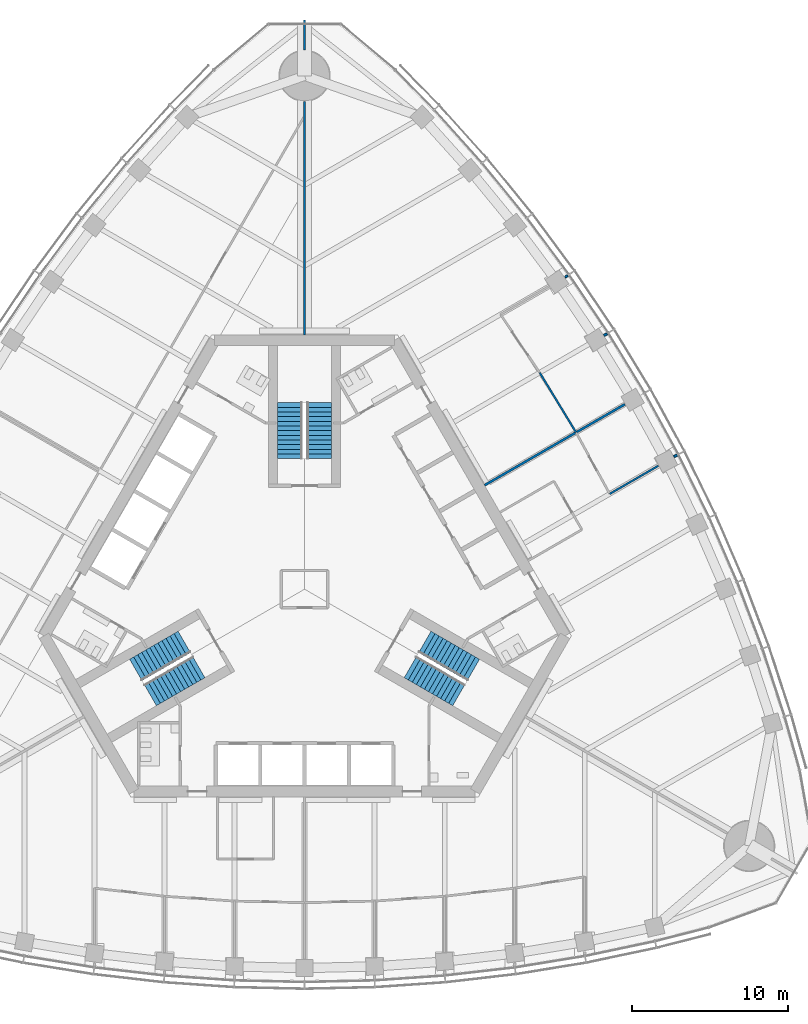
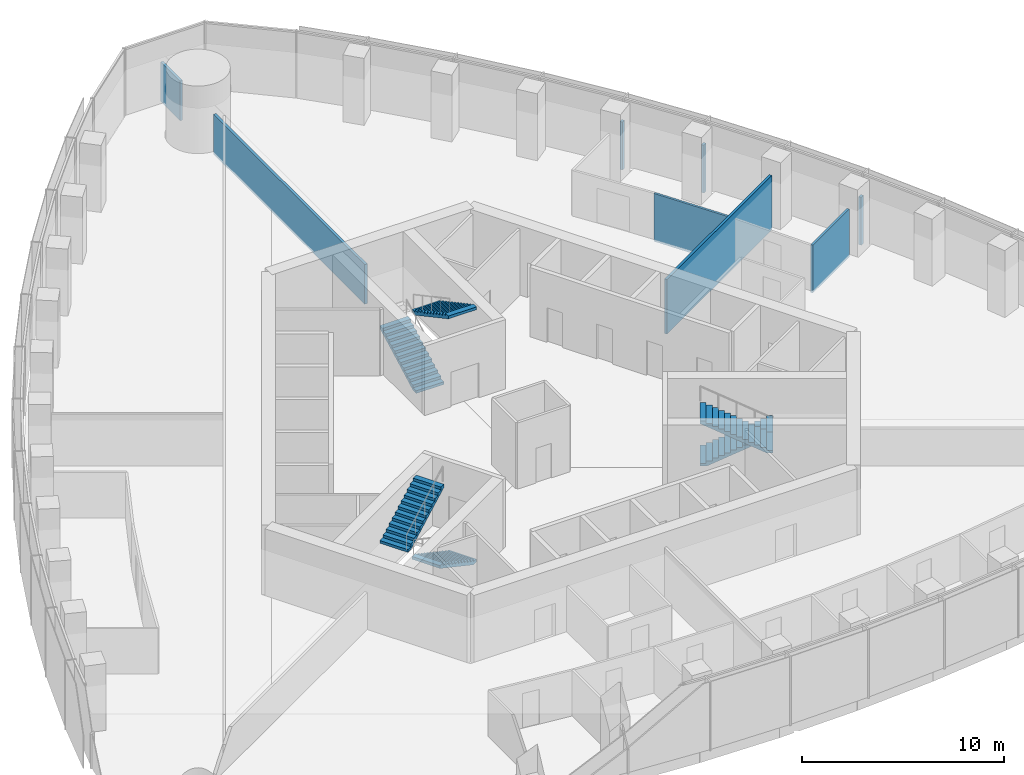
# One storey, part 14 of 19: 8 walls, 6 stair flights, 3 elements without a shape of their own.
"""IFC4 building model written with IfcOpenShell, lengths in metres."""

from ifc_helpers import new_model, si_unit, direction, frame, frame_2d, origin, place, context, subcontext, project, spatial, polyline, rectangle, outline, extrude, material, layer, layer_set, type_object, element, aggregate, save


model = new_model("IFC4")

# Units and contexts
model_context = context("Model", 3, precision=1e-05, world=origin(), true_north=direction((0.0, 1.0)))
body_context = subcontext(model_context, "Body", "Model", "MODEL_VIEW")
ifc_project = project(units=[si_unit("LENGTHUNIT", "METRE"), si_unit("AREAUNIT", "SQUARE_METRE"), si_unit("VOLUMEUNIT", "CUBIC_METRE"), si_unit("PLANEANGLEUNIT", "RADIAN"), si_unit("MASSUNIT", "GRAM", prefix="KILO")], contexts=[model_context])

# Site, building, storey
site_placement = place(None, origin())
site = spatial("IfcSite", under=ifc_project, at=site_placement, CompositionType="ELEMENT")
building_placement = place(site_placement, origin())
building = spatial("IfcBuilding", under=site, at=building_placement, Name="Trefoil Bronze Tower", CompositionType="ELEMENT")
storey_placement = place(building_placement, frame((0.0, 0.0, 223.300048828125)))
storey = spatial("IfcBuildingStorey", under=building, at=storey_placement, Name="L51", CompositionType="ELEMENT", Elevation=223.300048828125)

# Walls
ifc_material_1 = material(Name="Glazed partition", Category="glass")
ifc_layer_1 = layer(ifc_material_1, 0.1201171875)
ifc_layer_set_1 = layer_set([ifc_layer_1], Name="Glazed partition 120")
wall_type_1 = type_object("IfcWallType", Name="Glazed partition 120", PredefinedType="PARTITIONING", material=ifc_layer_set_1)
wall_1_placement = place(storey_placement, frame((17.450927734375, 10.075439453125, 0.0), z_axis=(0.0, 0.0, 1.0), x_axis=(-0.519790350351, 0.85429385558, 0.0)))
element("IfcWall", 1, at=wall_1_placement, inside=storey, type_object=wall_type_1, Name="Partition F2 L51", PredefinedType="PARTITIONING", context=body_context, shape_type="SweptSolid", body=[
    extrude(rectangle(XDim=4.5009765625, YDim=0.1201171875, at=frame_2d((2.25048828125, 0.0))), origin(), (0.0, 0.0, 1.0), 2.89990234375),
])
wall_2_placement = place(storey_placement, frame((19.611328125, 6.12646484375, 0.0), z_axis=(0.0, 0.0, 1.0), x_axis=(0.86602154905, 0.500006676536, 0.0)))
element("IfcWall", 2, at=wall_2_placement, inside=storey, type_object=wall_type_1, Name="Partition F2 L51", PredefinedType="PARTITIONING", context=body_context, shape_type="SweptSolid", body=[
    extrude(rectangle(XDim=3.61865234375, YDim=0.1201171875, at=frame_2d((1.809326171875, 0.0))), origin(), (0.0, 0.0, 1.0), 2.89990234375),
])
ifc_material_2 = material(Name="Gypsum board on steel studs", Category="steel")
ifc_layer_2 = layer(ifc_material_2, 0.14990234375)
ifc_layer_set_2 = layer_set([ifc_layer_2], Name="Partition 150")
wall_type_2 = type_object("IfcWallType", Name="Partition 150", PredefinedType="PARTITIONING", material=ifc_layer_set_2)
wall_3_placement = place(storey_placement, frame((19.249267578125, 16.3095703125, 0.0), z_axis=(0.0, 0.0, 1.0), x_axis=(0.865810949009, 0.500371262739, 0.0)))
element("IfcWall", 3, at=wall_3_placement, inside=storey, type_object=wall_type_2, Name="Partition F2 L51", PredefinedType="PARTITIONING", context=body_context, shape_type="SweptSolid", body=[
    extrude(rectangle(XDim=0.217041015625, YDim=0.14990234375, at=frame_2d((0.1083984375, 0.0))), origin(), (0.0, 0.0, 1.0), 2.89990234375),
])
wall_4_placement = place(storey_placement, frame((16.748291015625, 20.061767578125, 0.0), z_axis=(0.0, 0.0, 1.0), x_axis=(0.865625187776, 0.500692554656, 0.0)))
element("IfcWall", 4, at=wall_4_placement, inside=storey, type_object=wall_type_2, Name="Partition F2 L51", PredefinedType="PARTITIONING", context=body_context, shape_type="SweptSolid", body=[
    extrude(rectangle(XDim=0.196044921875, YDim=0.14990234375, at=frame_2d((0.09814453125, 0.0))), origin(), (0.0, 0.0, 1.0), 2.89990234375),
])
wall_5_placement = place(storey_placement, frame((23.749267578125, 8.515380859375, 0.0), z_axis=(0.0, 0.0, 1.0), x_axis=(0.865810949009, 0.500371262739, 0.0)))
element("IfcWall", 5, at=wall_5_placement, inside=storey, type_object=wall_type_2, Name="Partition F2 L51", PredefinedType="PARTITIONING", context=body_context, shape_type="SweptSolid", body=[
    extrude(rectangle(XDim=0.217041015625, YDim=0.14990234375, at=frame_2d((0.1083984375, 0.0))), origin(), (0.0, 0.0, 1.0), 2.89990234375),
])
ifc_material_3 = material(Name="Gypsum board on steel studs", Category="steel")
ifc_layer_3 = layer(ifc_material_3, 0.14990234375)
ifc_layer_set_3 = layer_set([ifc_layer_3], Name="Party wall 150")
wall_type_3 = type_object("IfcWallType", Name="Party wall 150", PredefinedType="PARTITIONING", material=ifc_layer_set_3)
wall_6_placement = place(storey_placement, frame((0.0, 16.35009765625, 0.0), z_axis=(0.0, 0.0, 1.0), x_axis=(0.0, 1.0, 0.0)))
element("IfcWall", 6, at=wall_6_placement, inside=storey, type_object=wall_type_3, Name="Party wall K2 L51", PredefinedType="PARTITIONING", context=body_context, shape_type="SweptSolid", body=[
    extrude(rectangle(XDim=15.0, YDim=0.14990234375, at=frame_2d((7.5, 0.0))), origin(), (0.0, 0.0, 1.0), 2.39990234375),
])
wall_7_placement = place(storey_placement, frame((0.0, 34.64990234375, 0.0), z_axis=(0.0, 0.0, 1.0), x_axis=(0.0, 1.0, 0.0)))
element("IfcWall", 7, at=wall_7_placement, inside=storey, type_object=wall_type_3, Name="Party wall K2 L51", PredefinedType="PARTITIONING", context=body_context, shape_type="SweptSolid", body=[
    extrude(rectangle(XDim=1.934814453125, YDim=0.14990234375, at=frame_2d((0.96728515625, 0.0))), origin(), (0.0, 0.0, 1.0), 2.39990234375),
])
wall_8_placement = place(storey_placement, frame((11.570068359375, 6.679931640625, 0.0), z_axis=(0.0, 0.0, 1.0), x_axis=(0.86602507976, 0.500000561227, 0.0)))
element("IfcWall", 8, at=wall_8_placement, inside=storey, type_object=wall_type_3, Name="Demising wall F2 L51", PredefinedType="PARTITIONING", context=body_context, shape_type="SweptSolid", body=[
    extrude(rectangle(XDim=10.41064453125, YDim=0.14990234375, at=frame_2d((5.205322265625, 0.0))), origin(), (0.0, 0.0, 1.0), 3.300048828125),
])

# Stair, stair flights
ifc_material_4 = material(Name="Precast concrete B80", Category="concrete")
stair_type = type_object("IfcStairType", Name="Exit stair 26 risers", PredefinedType="HALF_TURN_STAIR", material=ifc_material_4)
stair_1_placement = place(storey_placement, origin())
stair_1 = element("IfcStair", 9, at=stair_1_placement, inside=storey, type_object=stair_type, Name="Stair ST1 L51", PredefinedType="HALF_TURN_STAIR")
ifc_material_5 = material(Name="Precast concrete B80", Category="concrete")
stair_flight_type = type_object("IfcStairFlightType", Name="Stair flight 1600", PredefinedType="STRAIGHT", material=ifc_material_5)
stair_flight_1_placement = place(storey_placement, frame((7.728515625, -3.39404296875, 0.0), z_axis=(0.0, 0.0, 1.0), x_axis=(0.866025403784, -0.5, 0.0)))
stair_flight_1 = element("IfcStairFlight", 10, at=stair_flight_1_placement, type_object=stair_flight_type, Name="ST1 flight 1", NumberOfRisers=13, NumberOfTreads=12, PredefinedType="STRAIGHT", RiserHeight=0.161538462, TreadLength=0.3, context=body_context, shape_type="SweptSolid", body=[
    extrude(outline(polyline([(0.0, 0.0), (0.0, 0.16162109375), (0.300048828125, 0.16162109375), (0.300048828125, 0.322998046875), (0.60009765625, 0.322998046875), (0.60009765625, 0.484619140625), (0.89990234375, 0.484619140625), (0.89990234375, 0.646240234375), (1.199951171875, 0.646240234375), (1.199951171875, 0.8076171875), (1.5, 0.8076171875), (1.5, 0.96923828125), (1.800048828125, 0.96923828125), (1.800048828125, 1.130859375), (2.10009765625, 1.130859375), (2.10009765625, 1.292236328125), (2.39990234375, 1.292236328125), (2.39990234375, 1.453857421875), (2.699951171875, 1.453857421875), (2.699951171875, 1.615478515625), (3.0, 1.615478515625), (3.0, 1.77685546875), (3.300048828125, 1.77685546875), (3.300048828125, 1.9384765625), (3.60009765625, 1.9384765625), (3.60009765625, 2.10009765625), (3.60009765625, 1.768310546875), (0.316162109375, 0.0), (0.0, 0.0)])), frame((0.0, 0.800048828125, 0.0), z_axis=(0.0, -1.0, 0.0), x_axis=(1.0, 0.0, 0.0)), (0.0, 0.0, 1.0), 1.60009765625),
])
stair_flight_2_placement = place(storey_placement, frame((9.921142578125, -6.796142578125, 2.099853515625), z_axis=(0.0, 0.0, 1.0), x_axis=(-0.866025403784, 0.5, 0.0)))
stair_flight_2 = element("IfcStairFlight", 11, at=stair_flight_2_placement, type_object=stair_flight_type, Name="ST1 flight 2", NumberOfRisers=13, NumberOfTreads=12, PredefinedType="STRAIGHT", RiserHeight=0.161538462, TreadLength=0.3, context=body_context, shape_type="SweptSolid", body=[
    extrude(outline(polyline([(0.0, 0.0), (0.0, 0.16162109375), (0.300048828125, 0.16162109375), (0.300048828125, 0.322998046875), (0.60009765625, 0.322998046875), (0.60009765625, 0.484619140625), (0.89990234375, 0.484619140625), (0.89990234375, 0.646240234375), (1.199951171875, 0.646240234375), (1.199951171875, 0.8076171875), (1.5, 0.8076171875), (1.5, 0.96923828125), (1.800048828125, 0.96923828125), (1.800048828125, 1.130859375), (2.10009765625, 1.130859375), (2.10009765625, 1.292236328125), (2.39990234375, 1.292236328125), (2.39990234375, 1.453857421875), (2.699951171875, 1.453857421875), (2.699951171875, 1.615478515625), (3.0, 1.615478515625), (3.0, 1.77685546875), (3.300048828125, 1.77685546875), (3.300048828125, 1.9384765625), (3.60009765625, 1.9384765625), (3.60009765625, 2.10009765625), (3.60009765625, 1.768310546875), (0.316162109375, 0.0), (0.0, 0.0)])), frame((0.0, 0.800048828125, 0.0), z_axis=(0.0, -1.0, 0.0), x_axis=(1.0, 0.0, 0.0)), (0.0, 0.0, 1.0), 1.60009765625),
])
aggregate(stair_1, [stair_flight_1, stair_flight_2])

stair_2_placement = place(storey_placement, origin())
stair_2 = element("IfcStair", 12, at=stair_2_placement, inside=storey, type_object=stair_type, Name="Stair ST2 L51", PredefinedType="HALF_TURN_STAIR")
stair_flight_3_placement = place(storey_placement, frame((-0.925048828125, 8.389892578125, 0.0), z_axis=(0.0, 0.0, 1.0), x_axis=(0.0, 1.0, 0.0)))
stair_flight_3 = element("IfcStairFlight", 13, at=stair_flight_3_placement, type_object=stair_flight_type, Name="ST2 flight 1", NumberOfRisers=13, NumberOfTreads=12, PredefinedType="STRAIGHT", RiserHeight=0.161538462, TreadLength=0.3, context=body_context, shape_type="SweptSolid", body=[
    extrude(outline(polyline([(0.0, 0.0), (0.0, 0.16162109375), (0.300048828125, 0.16162109375), (0.300048828125, 0.322998046875), (0.60009765625, 0.322998046875), (0.60009765625, 0.484619140625), (0.89990234375, 0.484619140625), (0.89990234375, 0.646240234375), (1.199951171875, 0.646240234375), (1.199951171875, 0.8076171875), (1.5, 0.8076171875), (1.5, 0.96923828125), (1.800048828125, 0.96923828125), (1.800048828125, 1.130859375), (2.10009765625, 1.130859375), (2.10009765625, 1.292236328125), (2.39990234375, 1.292236328125), (2.39990234375, 1.453857421875), (2.699951171875, 1.453857421875), (2.699951171875, 1.615478515625), (3.0, 1.615478515625), (3.0, 1.77685546875), (3.300048828125, 1.77685546875), (3.300048828125, 1.9384765625), (3.60009765625, 1.9384765625), (3.60009765625, 2.10009765625), (3.60009765625, 1.768310546875), (0.316162109375, 0.0), (0.0, 0.0)])), frame((0.0, 0.800048828125, 0.0), z_axis=(0.0, -1.0, 0.0), x_axis=(1.0, 0.0, 0.0)), (0.0, 0.0, 1.0), 1.60009765625),
])
stair_flight_4_placement = place(storey_placement, frame((0.925048828125, 11.989990234375, 2.099853515625), z_axis=(0.0, 0.0, 1.0), x_axis=(0.0, -1.0, 0.0)))
stair_flight_4 = element("IfcStairFlight", 14, at=stair_flight_4_placement, type_object=stair_flight_type, Name="ST2 flight 2", NumberOfRisers=13, NumberOfTreads=12, PredefinedType="STRAIGHT", RiserHeight=0.161538462, TreadLength=0.3, context=body_context, shape_type="SweptSolid", body=[
    extrude(outline(polyline([(0.0, 0.0), (0.0, 0.16162109375), (0.300048828125, 0.16162109375), (0.300048828125, 0.322998046875), (0.60009765625, 0.322998046875), (0.60009765625, 0.484619140625), (0.89990234375, 0.484619140625), (0.89990234375, 0.646240234375), (1.199951171875, 0.646240234375), (1.199951171875, 0.8076171875), (1.5, 0.8076171875), (1.5, 0.96923828125), (1.800048828125, 0.96923828125), (1.800048828125, 1.130859375), (2.10009765625, 1.130859375), (2.10009765625, 1.292236328125), (2.39990234375, 1.292236328125), (2.39990234375, 1.453857421875), (2.699951171875, 1.453857421875), (2.699951171875, 1.615478515625), (3.0, 1.615478515625), (3.0, 1.77685546875), (3.300048828125, 1.77685546875), (3.300048828125, 1.9384765625), (3.60009765625, 1.9384765625), (3.60009765625, 2.10009765625), (3.60009765625, 1.768310546875), (0.316162109375, 0.0), (0.0, 0.0)])), frame((0.0, 0.800048828125, 0.0), z_axis=(0.0, -1.0, 0.0), x_axis=(1.0, 0.0, 0.0)), (0.0, 0.0, 1.0), 1.60009765625),
])
aggregate(stair_2, [stair_flight_3, stair_flight_4])

stair_3_placement = place(storey_placement, origin())
stair_3 = element("IfcStair", 15, at=stair_3_placement, inside=storey, type_object=stair_type, Name="Stair ST3 L51", PredefinedType="HALF_TURN_STAIR")
stair_flight_5_placement = place(storey_placement, frame((-6.803466796875, -4.99609375, 0.0), z_axis=(0.0, 0.0, 1.0), x_axis=(-0.866025403784, -0.5, 0.0)))
stair_flight_5 = element("IfcStairFlight", 16, at=stair_flight_5_placement, type_object=stair_flight_type, Name="ST3 flight 1", NumberOfRisers=13, NumberOfTreads=12, PredefinedType="STRAIGHT", RiserHeight=0.161538462, TreadLength=0.3, context=body_context, shape_type="SweptSolid", body=[
    extrude(outline(polyline([(0.0, 0.0), (0.0, 0.16162109375), (0.300048828125, 0.16162109375), (0.300048828125, 0.322998046875), (0.60009765625, 0.322998046875), (0.60009765625, 0.484619140625), (0.89990234375, 0.484619140625), (0.89990234375, 0.646240234375), (1.199951171875, 0.646240234375), (1.199951171875, 0.8076171875), (1.5, 0.8076171875), (1.5, 0.96923828125), (1.800048828125, 0.96923828125), (1.800048828125, 1.130859375), (2.10009765625, 1.130859375), (2.10009765625, 1.292236328125), (2.39990234375, 1.292236328125), (2.39990234375, 1.453857421875), (2.699951171875, 1.453857421875), (2.699951171875, 1.615478515625), (3.0, 1.615478515625), (3.0, 1.77685546875), (3.300048828125, 1.77685546875), (3.300048828125, 1.9384765625), (3.60009765625, 1.9384765625), (3.60009765625, 2.10009765625), (3.60009765625, 1.768310546875), (0.316162109375, 0.0), (0.0, 0.0)])), frame((0.0, 0.800048828125, 0.0), z_axis=(0.0, -1.0, 0.0), x_axis=(1.0, 0.0, 0.0)), (0.0, 0.0, 1.0), 1.60009765625),
])
stair_flight_6_placement = place(storey_placement, frame((-10.84619140625, -5.19384765625, 2.099853515625), z_axis=(0.0, 0.0, 1.0), x_axis=(0.866025403784, 0.5, 0.0)))
stair_flight_6 = element("IfcStairFlight", 17, at=stair_flight_6_placement, type_object=stair_flight_type, Name="ST3 flight 2", NumberOfRisers=13, NumberOfTreads=12, PredefinedType="STRAIGHT", RiserHeight=0.161538462, TreadLength=0.3, context=body_context, shape_type="SweptSolid", body=[
    extrude(outline(polyline([(0.0, 0.0), (0.0, 0.16162109375), (0.300048828125, 0.16162109375), (0.300048828125, 0.322998046875), (0.60009765625, 0.322998046875), (0.60009765625, 0.484619140625), (0.89990234375, 0.484619140625), (0.89990234375, 0.646240234375), (1.199951171875, 0.646240234375), (1.199951171875, 0.8076171875), (1.5, 0.8076171875), (1.5, 0.96923828125), (1.800048828125, 0.96923828125), (1.800048828125, 1.130859375), (2.10009765625, 1.130859375), (2.10009765625, 1.292236328125), (2.39990234375, 1.292236328125), (2.39990234375, 1.453857421875), (2.699951171875, 1.453857421875), (2.699951171875, 1.615478515625), (3.0, 1.615478515625), (3.0, 1.77685546875), (3.300048828125, 1.77685546875), (3.300048828125, 1.9384765625), (3.60009765625, 1.9384765625), (3.60009765625, 2.10009765625), (3.60009765625, 1.768310546875), (0.316162109375, 0.0), (0.0, 0.0)])), frame((0.0, 0.800048828125, 0.0), z_axis=(0.0, -1.0, 0.0), x_axis=(1.0, 0.0, 0.0)), (0.0, 0.0, 1.0), 1.60009765625),
])
aggregate(stair_3, [stair_flight_5, stair_flight_6])

save(model, "model.ifc")
